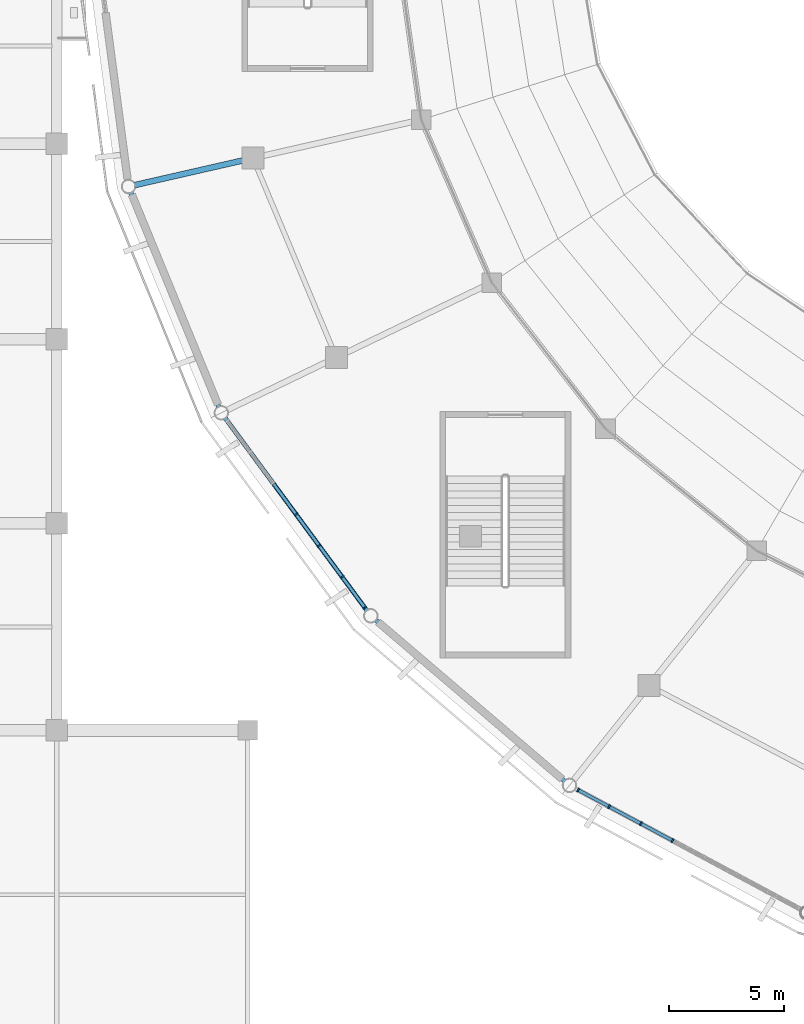
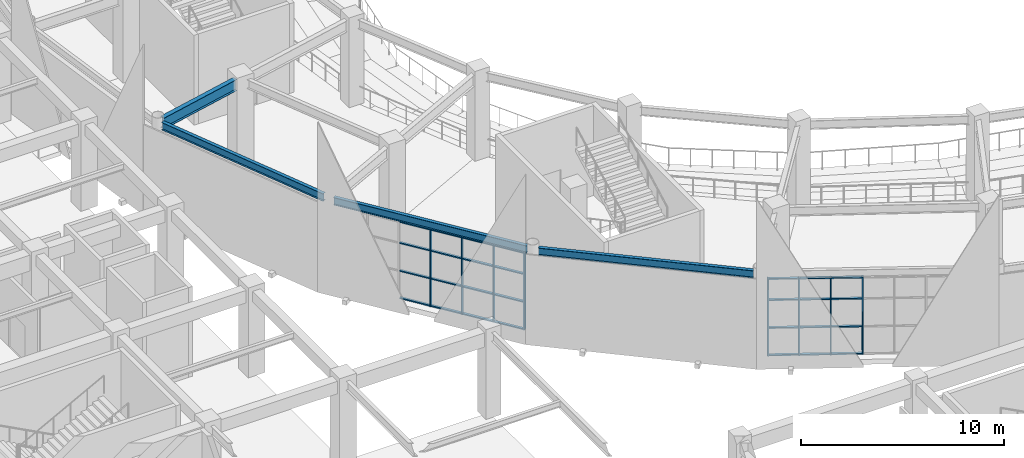
# One storey, part 19 of 120: 36 members, 4 beams, 2 elements without a shape of their own.
"""IFC4 building model written with IfcOpenShell, lengths in metres."""

import ifcopenshell
import ifcopenshell.guid

model = None  # the IFC model being written
_history = None  # IfcOwnerHistory: only IFC2X3 demands one
_inside = {}  # id of a spatial element -> (the spatial element, [elements in it])
_under = {}  # id of a project, library or spatial element -> (it, [spatial elements below it])
_declared = {}  # id of a project -> (the project, [libraries it declares])
_typed = {}  # id of a type object -> (the type object, [elements of that type])
_made_of = {}  # id of a material, layer set ... -> (it, [elements and type objects made of it])


def new_model(schema):
    """Start an empty IFC model of exactly this schema.

    Asked for "IFC4X3", IfcOpenShell would pick the latest addendum, in which some entities
    have other attributes; the version numbers below select the first issue.
    IFC2X3 requires an IfcOwnerHistory on every rooted entity: one is made here for all.
    """
    global model, _history
    if schema == "IFC4X3":
        model = ifcopenshell.file(schema_version=(4, 3, 0, 0))
    else:
        model = ifcopenshell.file(schema=schema)
    _inside.clear()
    _under.clear()
    _declared.clear()
    _typed.clear()
    _made_of.clear()
    _history = None
    if model.schema == "IFC2X3":
        org = make("IfcOrganization", Name="unknown")
        user = make(
            "IfcPersonAndOrganization",
            ThePerson=make("IfcPerson", FamilyName="unknown"),
            TheOrganization=org,
        )
        app = make(
            "IfcApplication",
            ApplicationDeveloper=org,
            Version="unknown",
            ApplicationFullName="unknown",
            ApplicationIdentifier="unknown",
        )
        _history = make(
            "IfcOwnerHistory",
            OwningUser=user,
            OwningApplication=app,
            ChangeAction="ADDED",
            CreationDate=0,
        )
    return model


def make(cls, **values):
    """One entity of the class cls with the attributes given. An attribute that is None is left unset."""
    return model.create_entity(
        cls, **{name: value for name, value in values.items() if value is not None}
    )


def rooted(cls, **values):
    """An entity with a GlobalId (a new one), such as an element, a storey or a relation."""
    return make(cls, GlobalId=ifcopenshell.guid.new(), OwnerHistory=_history, **values)


def si_unit(unit_type, name, prefix=None):
    """IfcSIUnit, for example si_unit("LENGTHUNIT", "METRE", prefix="MILLI")."""
    return make("IfcSIUnit", UnitType=unit_type, Prefix=prefix, Name=name)


def assignment(units):
    """IfcUnitAssignment: the units of a project."""
    return None if units is None else make("IfcUnitAssignment", Units=units)


def point(xyz):
    """IfcCartesianPoint."""
    return None if xyz is None else make("IfcCartesianPoint", Coordinates=xyz)


def direction(xyz):
    """IfcDirection."""
    return None if xyz is None else make("IfcDirection", DirectionRatios=xyz)


def frame(location, z_axis=None, x_axis=None):
    """IfcAxis2Placement3D, a coordinate frame: its origin and axes. An axis left out is left unset."""
    return make(
        "IfcAxis2Placement3D",
        Location=point(location),
        Axis=direction(z_axis),
        RefDirection=direction(x_axis),
    )


def frame_2d(location, x_axis=None):
    """IfcAxis2Placement2D, a coordinate frame in the plane: its origin and x axis."""
    return make(
        "IfcAxis2Placement2D", Location=point(location), RefDirection=direction(x_axis)
    )


def origin():
    """The frame at (0, 0, 0) with its axes left unset."""
    return frame((0.0, 0.0, 0.0))


def origin_2d():
    """The frame at (0, 0) in the plane with its x axis left unset."""
    return frame_2d((0.0, 0.0))


def place(relative_to, where):
    """IfcLocalPlacement: puts the frame where relative to a parent placement (None: the world)."""
    return make(
        "IfcLocalPlacement", PlacementRelTo=relative_to, RelativePlacement=where
    )


def context(
    kind, dimensions, precision=None, world=None, true_north=None, identifier=None
):
    """IfcGeometricRepresentationContext, for example the 3D "Model" context."""
    return make(
        "IfcGeometricRepresentationContext",
        ContextIdentifier=identifier,
        ContextType=kind,
        CoordinateSpaceDimension=dimensions,
        Precision=precision,
        WorldCoordinateSystem=world,
        TrueNorth=true_north,
    )


def subcontext(parent, identifier, kind, view, scale=None):
    """IfcGeometricRepresentationSubContext, for example "Body" below "Model"."""
    return make(
        "IfcGeometricRepresentationSubContext",
        ContextIdentifier=identifier,
        ContextType=kind,
        ParentContext=parent,
        TargetScale=scale,
        TargetView=view,
    )


def project(units=None, contexts=None):
    """IfcProject with its units and contexts."""
    return rooted(
        "IfcProject",
        Name="project",
        RepresentationContexts=contexts,
        UnitsInContext=assignment(units),
    )


def spatial(cls, under=None, at=None, **own):
    """A site, building, storey or space (cls), placed at a placement, below another one or the project."""
    s = rooted(cls, ObjectPlacement=at, **own)
    if under is not None:
        _under.setdefault(under.id(), (under, []))[1].append(s)
    return s


def profile(cls, at=None, kind="AREA", **sizes):
    """A parametric profile (cls). Its sizes go by their IFC names, for example OverallWidth=200.0."""
    return make(cls, ProfileType=kind, Position=at, **sizes)


def rectangle(**sizes):
    """IfcRectangleProfileDef."""
    return profile("IfcRectangleProfileDef", **sizes)


def i_section(**sizes):
    """IfcIShapeProfileDef."""
    return profile("IfcIShapeProfileDef", **sizes)


def extrude(swept, where, along, depth):
    """IfcExtrudedAreaSolid: the profile swept, set in the frame where, extruded along a direction by depth."""
    return make(
        "IfcExtrudedAreaSolid",
        SweptArea=swept,
        Position=where,
        ExtrudedDirection=direction(along),
        Depth=depth,
    )


def shape(context_of_items, identifier, shape_type, items):
    """IfcShapeRepresentation: the items that make up one representation, for example the "Body"."""
    return make(
        "IfcShapeRepresentation",
        ContextOfItems=context_of_items,
        RepresentationIdentifier=identifier,
        RepresentationType=shape_type,
        Items=items,
    )


def material(Name=None, Category=None):
    """IfcMaterial."""
    return make("IfcMaterial", Name=Name, Category=Category)


def material_profile(
    of_material, cross_section, Name=None, Category=None, Priority=None
):
    """IfcMaterialProfile: a cross section and its material."""
    return make(
        "IfcMaterialProfile",
        Name=Name,
        Material=of_material,
        Profile=cross_section,
        Priority=Priority,
        Category=Category,
    )


def profile_set(profiles, Name=None, composite=None):
    """IfcMaterialProfileSet."""
    return make(
        "IfcMaterialProfileSet",
        Name=Name,
        MaterialProfiles=profiles,
        CompositeProfile=composite,
    )


def made_of(thing, what):
    """Note that an element or type object is made of a material, layer set ...; save() writes the relation."""
    if what is not None:
        _made_of.setdefault(what.id(), (what, []))[1].append(thing)
    return thing


def type_object(cls, material=None, **own):
    """A type object (cls), such as IfcWallType, which elements share."""
    return made_of(rooted(cls, **own), material)


def element(
    cls,
    number,
    at=None,
    inside=None,
    cuts=None,
    type_object=None,
    material=None,
    context=None,
    identifier="Body",
    shape_type=None,
    held_by="IfcProductDefinitionShape",
    body=None,
    shapes=None,
    **own,
):
    """One element of the class cls, such as IfcWall. Its Tag is "e" and its number.

    at: its placement. inside: the storey or other place that contains it. cuts: it is an
    opening in that element (IfcRelVoidsElement). A single representation is given by context,
    identifier, shape_type and body (its items); several are given by shapes. held_by: the class
    of the entity that holds the representations. save() writes the other relations.
    """
    e = rooted(cls, Tag="e%d" % number, ObjectPlacement=at, **own)
    if body is not None:
        shapes = [shape(context, identifier, shape_type, body)]
    if shapes is not None:
        e.Representation = make(held_by, Representations=shapes)
    if inside is not None:
        _inside.setdefault(inside.id(), (inside, []))[1].append(e)
    if cuts is not None:
        rooted(
            "IfcRelVoidsElement", RelatingBuildingElement=cuts, RelatedOpeningElement=e
        )
    if type_object is not None:
        _typed.setdefault(type_object.id(), (type_object, []))[1].append(e)
    return made_of(e, material)


def aggregate(whole, parts):
    """IfcRelAggregates: a whole, such as a stair, and the parts it consists of."""
    return rooted("IfcRelAggregates", RelatingObject=whole, RelatedObjects=parts)


def save(model, path):
    """Write the relations noted so far, then the file.

    IfcRelAggregates (storeys below a building ...), IfcRelContainedInSpatialStructure (elements
    in a storey), IfcRelDefinesByType, IfcRelAssociatesMaterial and IfcRelDeclares: one each for
    every whole, place, type object, material and project.
    """
    for whole, parts in _under.values():
        aggregate(whole, parts)
    for where, things in _inside.values():
        rooted(
            "IfcRelContainedInSpatialStructure",
            RelatedElements=things,
            RelatingStructure=where,
        )
    for kind, things in _typed.values():
        rooted("IfcRelDefinesByType", RelatedObjects=things, RelatingType=kind)
    for what, things in _made_of.values():
        rooted("IfcRelAssociatesMaterial", RelatedObjects=things, RelatingMaterial=what)
    for by, libraries in _declared.values():
        rooted("IfcRelDeclares", RelatingContext=by, RelatedDefinitions=libraries)
    model.write(path)


model = new_model("IFC4")

# Units and contexts
model_context = context("Model", 3, precision=1e-05, world=origin(), true_north=direction((0.0, 1.0)))
body_context = subcontext(model_context, "Body", "Model", "MODEL_VIEW")
ifc_project = project(units=[si_unit("LENGTHUNIT", "METRE"), si_unit("AREAUNIT", "SQUARE_METRE"), si_unit("VOLUMEUNIT", "CUBIC_METRE"), si_unit("PLANEANGLEUNIT", "RADIAN"), si_unit("MASSUNIT", "GRAM", prefix="KILO")], contexts=[model_context])

# Site, building, storey
site_placement = place(None, origin())
site = spatial("IfcSite", under=ifc_project, at=site_placement, CompositionType="ELEMENT")
building_placement = place(site_placement, origin())
building = spatial("IfcBuilding", under=site, at=building_placement, Name="Cuetzalor Civic Arena", CompositionType="ELEMENT")
storey_placement = place(building_placement, frame((0.0, 0.0, 6.0)))
storey = spatial("IfcBuildingStorey", under=building, at=storey_placement, Name="L01", CompositionType="ELEMENT", Elevation=6.0)

# Curtain wall, members
ifc_material_1 = material(Name="Anodised dark bronze aluminium and low-E solar glass", Category="aluminium")
curtain_wall_type_1 = type_object("IfcCurtainWallType", Name="UnitisedCW_10150x4650", PredefinedType="USERDEFINED", material=ifc_material_1)
curtain_wall_1_placement = place(storey_placement, origin())
curtain_wall_1 = element("IfcCurtainWall", 1, at=curtain_wall_1_placement, inside=storey, type_object=curtain_wall_type_1, Name="Drum Triangle Foyer Curtain Wall L01-027", ObjectType="UNITISED CURTAIN WALL", PredefinedType="USERDEFINED")
ifc_material_2 = material(Name="Anodised dark bronze aluminium", Category="aluminium")
ifc_material_profile_1 = material_profile(ifc_material_2, rectangle(XDim=0.070068359375, YDim=0.179931640625, at=origin_2d()), Name="ALU MULLION 70x180")
ifc_profile_set_1 = profile_set([ifc_material_profile_1], Name="Anodised dark bronze aluminium")
member_type_1 = type_object("IfcMemberType", Name="CurtainWallMullion_65x180", PredefinedType="MULLION", material=ifc_profile_set_1)
member_1_placement = place(storey_placement, frame((-42.911865234375, -28.66650390625, 0.0), z_axis=(0.0, 0.0, 1.0), x_axis=(-0.59292931222, 0.805254513002, 0.0)))
member_1 = element("IfcMember", 2, at=member_1_placement, type_object=member_type_1, Name="CW-06 mullion 1", PredefinedType="MULLION", context=body_context, shape_type="SweptSolid", body=[
    extrude(rectangle(XDim=0.070068359375, YDim=0.179931640625, at=origin_2d()), origin(), (0.0, 0.0, 1.0), 4.653076171875),
])
member_2_placement = place(storey_placement, frame((-43.8935546875, -27.333251953125, 0.0), z_axis=(0.0, 0.0, 1.0), x_axis=(-0.59292931222, 0.805254513002, 0.0)))
member_2 = element("IfcMember", 3, at=member_2_placement, type_object=member_type_1, Name="CW-06 mullion 2", PredefinedType="MULLION", context=body_context, shape_type="SweptSolid", body=[
    extrude(rectangle(XDim=0.070068359375, YDim=0.179931640625, at=origin_2d()), origin(), (0.0, 0.0, 1.0), 4.653076171875),
])
member_3_placement = place(storey_placement, frame((-44.89599609375, -25.9716796875, 0.0), z_axis=(0.0, 0.0, 1.0), x_axis=(-0.59292931222, 0.805254513002, 0.0)))
member_3 = element("IfcMember", 4, at=member_3_placement, type_object=member_type_1, Name="CW-06 mullion 3", PredefinedType="MULLION", context=body_context, shape_type="SweptSolid", body=[
    extrude(rectangle(XDim=0.070068359375, YDim=0.179931640625, at=origin_2d()), origin(), (0.0, 0.0, 1.0), 4.653076171875),
])
member_4_placement = place(storey_placement, frame((-45.8984375, -24.6103515625, 0.0), z_axis=(0.0, 0.0, 1.0), x_axis=(-0.59292931222, 0.805254513002, 0.0)))
member_4 = element("IfcMember", 5, at=member_4_placement, type_object=member_type_1, Name="CW-06 mullion 4", PredefinedType="MULLION", context=body_context, shape_type="SweptSolid", body=[
    extrude(rectangle(XDim=0.070068359375, YDim=0.179931640625, at=origin_2d()), origin(), (0.0, 0.0, 1.0), 4.653076171875),
])

ifc_material_3 = material(Name="Anodised dark bronze aluminium and low-E solar glass", Category="aluminium")
curtain_wall_type_2 = type_object("IfcCurtainWallType", Name="UnitisedCW_10950x4650", PredefinedType="USERDEFINED", material=ifc_material_3)
curtain_wall_2_placement = place(storey_placement, origin())
curtain_wall_2 = element("IfcCurtainWall", 6, at=curtain_wall_2_placement, inside=storey, type_object=curtain_wall_type_2, Name="Drum Triangle Foyer Curtain Wall L01-028", ObjectType="UNITISED CURTAIN WALL", PredefinedType="USERDEFINED")
member_5_placement = place(storey_placement, frame((-29.529052734375, -38.797607421875, 0.0), z_axis=(0.0, 0.0, 1.0), x_axis=(-0.881306344124, 0.472545371163, 0.0)))
member_5 = element("IfcMember", 7, at=member_5_placement, type_object=member_type_1, Name="CW-07 mullion 5", PredefinedType="MULLION", context=body_context, shape_type="SweptSolid", body=[
    extrude(rectangle(XDim=0.070068359375, YDim=0.179931640625, at=origin_2d()), origin(), (0.0, 0.0, 1.0), 4.653076171875),
])
member_6_placement = place(storey_placement, frame((-30.9072265625, -38.058837890625, 0.0), z_axis=(0.0, 0.0, 1.0), x_axis=(-0.881306344124, 0.472545371163, 0.0)))
member_6 = element("IfcMember", 8, at=member_6_placement, type_object=member_type_1, Name="CW-07 mullion 6", PredefinedType="MULLION", context=body_context, shape_type="SweptSolid", body=[
    extrude(rectangle(XDim=0.070068359375, YDim=0.179931640625, at=origin_2d()), origin(), (0.0, 0.0, 1.0), 4.653076171875),
])
member_7_placement = place(storey_placement, frame((-32.28515625, -37.31982421875, 0.0), z_axis=(0.0, 0.0, 1.0), x_axis=(-0.881306344124, 0.472545371163, 0.0)))
member_7 = element("IfcMember", 9, at=member_7_placement, type_object=member_type_1, Name="CW-07 mullion 7", PredefinedType="MULLION", context=body_context, shape_type="SweptSolid", body=[
    extrude(rectangle(XDim=0.070068359375, YDim=0.179931640625, at=origin_2d()), origin(), (0.0, 0.0, 1.0), 4.653076171875),
])
member_8_placement = place(storey_placement, frame((-33.632568359375, -36.597412109375, 0.0), z_axis=(0.0, 0.0, 1.0), x_axis=(-0.881306344124, 0.472545371163, 0.0)))
member_8 = element("IfcMember", 10, at=member_8_placement, type_object=member_type_1, Name="CW-07 mullion 8", PredefinedType="MULLION", context=body_context, shape_type="SweptSolid", body=[
    extrude(rectangle(XDim=0.070068359375, YDim=0.179931640625, at=origin_2d()), origin(), (0.0, 0.0, 1.0), 4.653076171875),
])

# Member
ifc_material_4 = material(Name="Anodised dark bronze aluminium", Category="aluminium")
ifc_material_profile_2 = material_profile(ifc_material_4, rectangle(XDim=0.139892578125, YDim=0.070068359375, at=origin_2d()), Name="ALU TRANSOM 70x140")
ifc_profile_set_2 = profile_set([ifc_material_profile_2], Name="Anodised dark bronze aluminium")
member_type_2 = type_object("IfcMemberType", Name="CurtainWallTransom_65x140", PredefinedType="USERDEFINED", material=ifc_profile_set_2)
member_9_placement = place(storey_placement, frame((-42.9326171875, -28.63818359375, 0.034912109375), z_axis=(-0.59293115048, 0.805253159442, 0.0), x_axis=(-0.805253159442, -0.59293115048, 0.0)))
member_9 = element("IfcMember", 11, at=member_9_placement, type_object=member_type_2, Name="CW-06 transom 1.1", ObjectType="TRANSOM", PredefinedType="USERDEFINED", context=body_context, shape_type="SweptSolid", body=[
    extrude(rectangle(XDim=0.139892578125, YDim=0.070068359375, at=origin_2d()), origin(), (0.0, 0.0, 1.0), 1.585693359375),
])

member_10_placement = place(storey_placement, frame((-42.9326171875, -28.63818359375, 1.675048828125), z_axis=(-0.59293115048, 0.805253159442, 0.0), x_axis=(-0.805253159442, -0.59293115048, 0.0)))
member_10 = element("IfcMember", 12, at=member_10_placement, type_object=member_type_2, Name="CW-06 transom 1.2", ObjectType="TRANSOM", PredefinedType="USERDEFINED", context=body_context, shape_type="SweptSolid", body=[
    extrude(rectangle(XDim=0.139892578125, YDim=0.070068359375, at=origin_2d()), origin(), (0.0, 0.0, 1.0), 1.585693359375),
])

member_11_placement = place(storey_placement, frame((-42.9326171875, -28.63818359375, 3.35009765625), z_axis=(-0.59293115048, 0.805253159442, 0.0), x_axis=(-0.805253159442, -0.59293115048, 0.0)))
member_11 = element("IfcMember", 13, at=member_11_placement, type_object=member_type_2, Name="CW-06 transom 1.3", ObjectType="TRANSOM", PredefinedType="USERDEFINED", context=body_context, shape_type="SweptSolid", body=[
    extrude(rectangle(XDim=0.139892578125, YDim=0.070068359375, at=origin_2d()), origin(), (0.0, 0.0, 1.0), 1.585693359375),
])

member_12_placement = place(storey_placement, frame((-42.9326171875, -28.63818359375, 4.617919921875), z_axis=(-0.59293115048, 0.805253159442, 0.0), x_axis=(-0.805253159442, -0.59293115048, 0.0)))
member_12 = element("IfcMember", 14, at=member_12_placement, type_object=member_type_2, Name="CW-06 transom 1.4", ObjectType="TRANSOM", PredefinedType="USERDEFINED", context=body_context, shape_type="SweptSolid", body=[
    extrude(rectangle(XDim=0.139892578125, YDim=0.070068359375, at=origin_2d()), origin(), (0.0, 0.0, 1.0), 1.585693359375),
])

member_13_placement = place(storey_placement, frame((-43.914306640625, -27.304931640625, 0.034912109375), z_axis=(-0.592962622822, 0.805229984499, 0.0), x_axis=(-0.805229984499, -0.592962622822, 0.0)))
member_13 = element("IfcMember", 15, at=member_13_placement, type_object=member_type_2, Name="CW-06 transom 2.1", ObjectType="TRANSOM", PredefinedType="USERDEFINED", context=body_context, shape_type="SweptSolid", body=[
    extrude(rectangle(XDim=0.139892578125, YDim=0.070068359375, at=origin_2d()), origin(), (0.0, 0.0, 1.0), 1.62060546875),
])

member_14_placement = place(storey_placement, frame((-43.914306640625, -27.304931640625, 1.675048828125), z_axis=(-0.592962622822, 0.805229984499, 0.0), x_axis=(-0.805229984499, -0.592962622822, 0.0)))
member_14 = element("IfcMember", 16, at=member_14_placement, type_object=member_type_2, Name="CW-06 transom 2.2", ObjectType="TRANSOM", PredefinedType="USERDEFINED", context=body_context, shape_type="SweptSolid", body=[
    extrude(rectangle(XDim=0.139892578125, YDim=0.070068359375, at=origin_2d()), origin(), (0.0, 0.0, 1.0), 1.62060546875),
])

member_15_placement = place(storey_placement, frame((-43.914306640625, -27.304931640625, 3.35009765625), z_axis=(-0.592962622822, 0.805229984499, 0.0), x_axis=(-0.805229984499, -0.592962622822, 0.0)))
member_15 = element("IfcMember", 17, at=member_15_placement, type_object=member_type_2, Name="CW-06 transom 2.3", ObjectType="TRANSOM", PredefinedType="USERDEFINED", context=body_context, shape_type="SweptSolid", body=[
    extrude(rectangle(XDim=0.139892578125, YDim=0.070068359375, at=origin_2d()), origin(), (0.0, 0.0, 1.0), 1.62060546875),
])

member_16_placement = place(storey_placement, frame((-43.914306640625, -27.304931640625, 4.617919921875), z_axis=(-0.592962622822, 0.805229984499, 0.0), x_axis=(-0.805229984499, -0.592962622822, 0.0)))
member_16 = element("IfcMember", 18, at=member_16_placement, type_object=member_type_2, Name="CW-06 transom 2.4", ObjectType="TRANSOM", PredefinedType="USERDEFINED", context=body_context, shape_type="SweptSolid", body=[
    extrude(rectangle(XDim=0.139892578125, YDim=0.070068359375, at=origin_2d()), origin(), (0.0, 0.0, 1.0), 1.62060546875),
])

member_17_placement = place(storey_placement, frame((-44.916748046875, -25.943603515625, 0.034912109375), z_axis=(-0.592962622822, 0.805229984499, 0.0), x_axis=(-0.805229984499, -0.592962622822, 0.0)))
member_17 = element("IfcMember", 19, at=member_17_placement, type_object=member_type_2, Name="CW-06 transom 3.1", ObjectType="TRANSOM", PredefinedType="USERDEFINED", context=body_context, shape_type="SweptSolid", body=[
    extrude(rectangle(XDim=0.139892578125, YDim=0.070068359375, at=origin_2d()), origin(), (0.0, 0.0, 1.0), 1.62060546875),
])

member_18_placement = place(storey_placement, frame((-44.916748046875, -25.943603515625, 1.675048828125), z_axis=(-0.592962622822, 0.805229984499, 0.0), x_axis=(-0.805229984499, -0.592962622822, 0.0)))
member_18 = element("IfcMember", 20, at=member_18_placement, type_object=member_type_2, Name="CW-06 transom 3.2", ObjectType="TRANSOM", PredefinedType="USERDEFINED", context=body_context, shape_type="SweptSolid", body=[
    extrude(rectangle(XDim=0.139892578125, YDim=0.070068359375, at=origin_2d()), origin(), (0.0, 0.0, 1.0), 1.62060546875),
])

member_19_placement = place(storey_placement, frame((-44.916748046875, -25.943603515625, 3.35009765625), z_axis=(-0.592962622822, 0.805229984499, 0.0), x_axis=(-0.805229984499, -0.592962622822, 0.0)))
member_19 = element("IfcMember", 21, at=member_19_placement, type_object=member_type_2, Name="CW-06 transom 3.3", ObjectType="TRANSOM", PredefinedType="USERDEFINED", context=body_context, shape_type="SweptSolid", body=[
    extrude(rectangle(XDim=0.139892578125, YDim=0.070068359375, at=origin_2d()), origin(), (0.0, 0.0, 1.0), 1.62060546875),
])

member_20_placement = place(storey_placement, frame((-44.916748046875, -25.943603515625, 4.617919921875), z_axis=(-0.592962622822, 0.805229984499, 0.0), x_axis=(-0.805229984499, -0.592962622822, 0.0)))
member_20 = element("IfcMember", 22, at=member_20_placement, type_object=member_type_2, Name="CW-06 transom 3.4", ObjectType="TRANSOM", PredefinedType="USERDEFINED", context=body_context, shape_type="SweptSolid", body=[
    extrude(rectangle(XDim=0.139892578125, YDim=0.070068359375, at=origin_2d()), origin(), (0.0, 0.0, 1.0), 1.62060546875),
])

member_21_placement = place(storey_placement, frame((-45.919189453125, -24.582275390625, 0.034912109375), z_axis=(-0.592890697621, 0.805282944482, 0.0), x_axis=(-0.805282944482, -0.592890697621, 0.0)))
member_21 = element("IfcMember", 23, at=member_21_placement, type_object=member_type_2, Name="CW-06 transom 4.1", ObjectType="TRANSOM", PredefinedType="USERDEFINED", context=body_context, shape_type="SweptSolid", body=[
    extrude(rectangle(XDim=0.139892578125, YDim=0.070068359375, at=origin_2d()), origin(), (0.0, 0.0, 1.0), 1.620849609375),
])

member_22_placement = place(storey_placement, frame((-45.919189453125, -24.582275390625, 1.675048828125), z_axis=(-0.592890697621, 0.805282944482, 0.0), x_axis=(-0.805282944482, -0.592890697621, 0.0)))
member_22 = element("IfcMember", 24, at=member_22_placement, type_object=member_type_2, Name="CW-06 transom 4.2", ObjectType="TRANSOM", PredefinedType="USERDEFINED", context=body_context, shape_type="SweptSolid", body=[
    extrude(rectangle(XDim=0.139892578125, YDim=0.070068359375, at=origin_2d()), origin(), (0.0, 0.0, 1.0), 1.620849609375),
])

member_23_placement = place(storey_placement, frame((-45.919189453125, -24.582275390625, 3.35009765625), z_axis=(-0.592890697621, 0.805282944482, 0.0), x_axis=(-0.805282944482, -0.592890697621, 0.0)))
member_23 = element("IfcMember", 25, at=member_23_placement, type_object=member_type_2, Name="CW-06 transom 4.3", ObjectType="TRANSOM", PredefinedType="USERDEFINED", context=body_context, shape_type="SweptSolid", body=[
    extrude(rectangle(XDim=0.139892578125, YDim=0.070068359375, at=origin_2d()), origin(), (0.0, 0.0, 1.0), 1.620849609375),
])

member_24_placement = place(storey_placement, frame((-45.919189453125, -24.582275390625, 4.617919921875), z_axis=(-0.592890697621, 0.805282944482, 0.0), x_axis=(-0.805282944482, -0.592890697621, 0.0)))
member_24 = element("IfcMember", 26, at=member_24_placement, type_object=member_type_2, Name="CW-06 transom 4.4", ObjectType="TRANSOM", PredefinedType="USERDEFINED", context=body_context, shape_type="SweptSolid", body=[
    extrude(rectangle(XDim=0.139892578125, YDim=0.070068359375, at=origin_2d()), origin(), (0.0, 0.0, 1.0), 1.620849609375),
])

aggregate(curtain_wall_1, [member_1, member_2, member_3, member_4, member_9, member_10, member_11, member_12, member_13, member_14, member_15, member_16, member_17, member_18, member_19, member_20, member_21, member_22, member_23, member_24])

member_25_placement = place(storey_placement, frame((-29.559814453125, -38.78125, 0.034912109375), z_axis=(-0.881314685602, 0.472529813812, 0.0), x_axis=(-0.472529813812, -0.881314685602, 0.0)))
member_25 = element("IfcMember", 27, at=member_25_placement, type_object=member_type_2, Name="CW-07 transom 5.1", ObjectType="TRANSOM", PredefinedType="USERDEFINED", context=body_context, shape_type="SweptSolid", body=[
    extrude(rectangle(XDim=0.139892578125, YDim=0.070068359375, at=origin_2d()), origin(), (0.0, 0.0, 1.0), 1.49365234375),
])

member_26_placement = place(storey_placement, frame((-29.559814453125, -38.78125, 1.675048828125), z_axis=(-0.881314685602, 0.472529813812, 0.0), x_axis=(-0.472529813812, -0.881314685602, 0.0)))
member_26 = element("IfcMember", 28, at=member_26_placement, type_object=member_type_2, Name="CW-07 transom 5.2", ObjectType="TRANSOM", PredefinedType="USERDEFINED", context=body_context, shape_type="SweptSolid", body=[
    extrude(rectangle(XDim=0.139892578125, YDim=0.070068359375, at=origin_2d()), origin(), (0.0, 0.0, 1.0), 1.49365234375),
])

member_27_placement = place(storey_placement, frame((-29.559814453125, -38.78125, 3.35009765625), z_axis=(-0.881314685602, 0.472529813812, 0.0), x_axis=(-0.472529813812, -0.881314685602, 0.0)))
member_27 = element("IfcMember", 29, at=member_27_placement, type_object=member_type_2, Name="CW-07 transom 5.3", ObjectType="TRANSOM", PredefinedType="USERDEFINED", context=body_context, shape_type="SweptSolid", body=[
    extrude(rectangle(XDim=0.139892578125, YDim=0.070068359375, at=origin_2d()), origin(), (0.0, 0.0, 1.0), 1.49365234375),
])

member_28_placement = place(storey_placement, frame((-29.559814453125, -38.78125, 4.617919921875), z_axis=(-0.881314685602, 0.472529813812, 0.0), x_axis=(-0.472529813812, -0.881314685602, 0.0)))
member_28 = element("IfcMember", 30, at=member_28_placement, type_object=member_type_2, Name="CW-07 transom 5.4", ObjectType="TRANSOM", PredefinedType="USERDEFINED", context=body_context, shape_type="SweptSolid", body=[
    extrude(rectangle(XDim=0.139892578125, YDim=0.070068359375, at=origin_2d()), origin(), (0.0, 0.0, 1.0), 1.49365234375),
])

member_29_placement = place(storey_placement, frame((-30.93798828125, -38.042236328125, 0.034912109375), z_axis=(-0.881314685602, 0.472529813812, 0.0), x_axis=(-0.472529813812, -0.881314685602, 0.0)))
member_29 = element("IfcMember", 31, at=member_29_placement, type_object=member_type_2, Name="CW-07 transom 6.1", ObjectType="TRANSOM", PredefinedType="USERDEFINED", context=body_context, shape_type="SweptSolid", body=[
    extrude(rectangle(XDim=0.139892578125, YDim=0.070068359375, at=origin_2d()), origin(), (0.0, 0.0, 1.0), 1.49365234375),
])

member_30_placement = place(storey_placement, frame((-30.93798828125, -38.042236328125, 1.675048828125), z_axis=(-0.881314685602, 0.472529813812, 0.0), x_axis=(-0.472529813812, -0.881314685602, 0.0)))
member_30 = element("IfcMember", 32, at=member_30_placement, type_object=member_type_2, Name="CW-07 transom 6.2", ObjectType="TRANSOM", PredefinedType="USERDEFINED", context=body_context, shape_type="SweptSolid", body=[
    extrude(rectangle(XDim=0.139892578125, YDim=0.070068359375, at=origin_2d()), origin(), (0.0, 0.0, 1.0), 1.49365234375),
])

member_31_placement = place(storey_placement, frame((-30.93798828125, -38.042236328125, 3.35009765625), z_axis=(-0.881314685602, 0.472529813812, 0.0), x_axis=(-0.472529813812, -0.881314685602, 0.0)))
member_31 = element("IfcMember", 33, at=member_31_placement, type_object=member_type_2, Name="CW-07 transom 6.3", ObjectType="TRANSOM", PredefinedType="USERDEFINED", context=body_context, shape_type="SweptSolid", body=[
    extrude(rectangle(XDim=0.139892578125, YDim=0.070068359375, at=origin_2d()), origin(), (0.0, 0.0, 1.0), 1.49365234375),
])

member_32_placement = place(storey_placement, frame((-30.93798828125, -38.042236328125, 4.617919921875), z_axis=(-0.881314685602, 0.472529813812, 0.0), x_axis=(-0.472529813812, -0.881314685602, 0.0)))
member_32 = element("IfcMember", 34, at=member_32_placement, type_object=member_type_2, Name="CW-07 transom 6.4", ObjectType="TRANSOM", PredefinedType="USERDEFINED", context=body_context, shape_type="SweptSolid", body=[
    extrude(rectangle(XDim=0.139892578125, YDim=0.070068359375, at=origin_2d()), origin(), (0.0, 0.0, 1.0), 1.49365234375),
])

member_33_placement = place(storey_placement, frame((-32.316162109375, -37.30322265625, 0.034912109375), z_axis=(-0.881345577681, 0.472472192517, 0.0), x_axis=(-0.472472192517, -0.881345577681, 0.0)))
member_33 = element("IfcMember", 35, at=member_33_placement, type_object=member_type_2, Name="CW-07 transom 7.1", ObjectType="TRANSOM", PredefinedType="USERDEFINED", context=body_context, shape_type="SweptSolid", body=[
    extrude(rectangle(XDim=0.139892578125, YDim=0.070068359375, at=origin_2d()), origin(), (0.0, 0.0, 1.0), 1.458740234375),
])

member_34_placement = place(storey_placement, frame((-32.316162109375, -37.30322265625, 1.675048828125), z_axis=(-0.881345577681, 0.472472192517, 0.0), x_axis=(-0.472472192517, -0.881345577681, 0.0)))
member_34 = element("IfcMember", 36, at=member_34_placement, type_object=member_type_2, Name="CW-07 transom 7.2", ObjectType="TRANSOM", PredefinedType="USERDEFINED", context=body_context, shape_type="SweptSolid", body=[
    extrude(rectangle(XDim=0.139892578125, YDim=0.070068359375, at=origin_2d()), origin(), (0.0, 0.0, 1.0), 1.458740234375),
])

member_35_placement = place(storey_placement, frame((-32.316162109375, -37.30322265625, 3.35009765625), z_axis=(-0.881345577681, 0.472472192517, 0.0), x_axis=(-0.472472192517, -0.881345577681, 0.0)))
member_35 = element("IfcMember", 37, at=member_35_placement, type_object=member_type_2, Name="CW-07 transom 7.3", ObjectType="TRANSOM", PredefinedType="USERDEFINED", context=body_context, shape_type="SweptSolid", body=[
    extrude(rectangle(XDim=0.139892578125, YDim=0.070068359375, at=origin_2d()), origin(), (0.0, 0.0, 1.0), 1.458740234375),
])

member_36_placement = place(storey_placement, frame((-32.316162109375, -37.30322265625, 4.617919921875), z_axis=(-0.881345577681, 0.472472192517, 0.0), x_axis=(-0.472472192517, -0.881345577681, 0.0)))
member_36 = element("IfcMember", 38, at=member_36_placement, type_object=member_type_2, Name="CW-07 transom 7.4", ObjectType="TRANSOM", PredefinedType="USERDEFINED", context=body_context, shape_type="SweptSolid", body=[
    extrude(rectangle(XDim=0.139892578125, YDim=0.070068359375, at=origin_2d()), origin(), (0.0, 0.0, 1.0), 1.458740234375),
])

aggregate(curtain_wall_2, [member_5, member_6, member_7, member_8, member_25, member_26, member_27, member_28, member_29, member_30, member_31, member_32, member_33, member_34, member_35, member_36])

# Beams
ifc_material_5 = material(Name="Steel S355", Category="steel")
ifc_material_profile_3 = material_profile(ifc_material_5, i_section(OverallWidth=0.18994140625, OverallDepth=0.45703125, WebThickness=0.009033203125, FlangeThickness=0.014404296875, at=origin_2d()), Name="W460x74")
ifc_profile_set_3 = profile_set([ifc_material_profile_3], Name="Steel S355")
beam_type_1 = type_object("IfcBeamType", Name="FacadeSpandrelBeam_W460", PredefinedType="SPANDREL", material=ifc_profile_set_3)
beam_1_placement = place(storey_placement, frame((-53.072265625, -10.626708984375, 4.8916015625), z_axis=(0.379398599643, -0.925233323324, 0.0), x_axis=(0.925233323324, 0.379398599643, 0.0)))
element("IfcBeam", 39, at=beam_1_placement, inside=storey, type_object=beam_type_1, Name="Drum Perimeter Spandrel L01-S16", PredefinedType="SPANDREL", context=body_context, shape_type="SweptSolid", body=[
    extrude(i_section(OverallWidth=0.18994140625, OverallDepth=0.45703125, WebThickness=0.009033203125, FlangeThickness=0.014404296875, at=origin_2d()), origin(), (0.0, 0.0, 1.0), 10.053955078125),
])
beam_2_placement = place(storey_placement, frame((-48.975830078125, -20.430908203125, 4.8916015625), z_axis=(0.592928645702, -0.805255003776, 0.0), x_axis=(0.805255003776, 0.592928645702, 0.0)))
element("IfcBeam", 40, at=beam_2_placement, inside=storey, type_object=beam_type_1, Name="Drum Perimeter Spandrel L01-S17", PredefinedType="SPANDREL", context=body_context, shape_type="SweptSolid", body=[
    extrude(i_section(OverallWidth=0.18994140625, OverallDepth=0.45703125, WebThickness=0.009033203125, FlangeThickness=0.014404296875, at=origin_2d()), origin(), (0.0, 0.0, 1.0), 10.380615234375),
])
beam_3_placement = place(storey_placement, frame((-42.42822265625, -29.211669921875, 4.8916015625), z_axis=(0.760676650628, -0.649130983076, 0.0), x_axis=(0.649130983076, 0.760676650628, 0.0)))
element("IfcBeam", 41, at=beam_3_placement, inside=storey, type_object=beam_type_1, Name="Drum Perimeter Spandrel L01-S18", PredefinedType="SPANDREL", context=body_context, shape_type="SweptSolid", body=[
    extrude(i_section(OverallWidth=0.18994140625, OverallDepth=0.45703125, WebThickness=0.009033203125, FlangeThickness=0.014404296875, at=origin_2d()), origin(), (0.0, 0.0, 1.0), 10.77490234375),
])
ifc_material_6 = material(Name="Steel S355", Category="steel")
ifc_material_profile_4 = material_profile(ifc_material_6, i_section(OverallWidth=0.2529296875, OverallDepth=0.677978515625, WebThickness=0.01171875, FlangeThickness=0.016357421875, at=origin_2d()), Name="W690x125")
ifc_profile_set_4 = profile_set([ifc_material_profile_4], Name="Steel S355")
beam_type_2 = type_object("IfcBeamType", Name="SteelPrimaryGirder_W690", PredefinedType="BEAM", material=ifc_profile_set_4)
beam_4_placement = place(storey_placement, frame((-48.12255859375, -9.20361328125, 4.781005859375), z_axis=(-0.974939153271, -0.222471677792, 0.0), x_axis=(0.222471677792, -0.974939153271, 0.0)))
element("IfcBeam", 42, at=beam_4_placement, inside=storey, type_object=beam_type_2, Name="Drum Radial Girder L01-R16", PredefinedType="BEAM", context=body_context, shape_type="SweptSolid", body=[
    extrude(i_section(OverallWidth=0.2529296875, OverallDepth=0.677978515625, WebThickness=0.01171875, FlangeThickness=0.016357421875, at=origin_2d()), origin(), (0.0, 0.0, 1.0), 4.89990234375),
])

save(model, "model.ifc")
